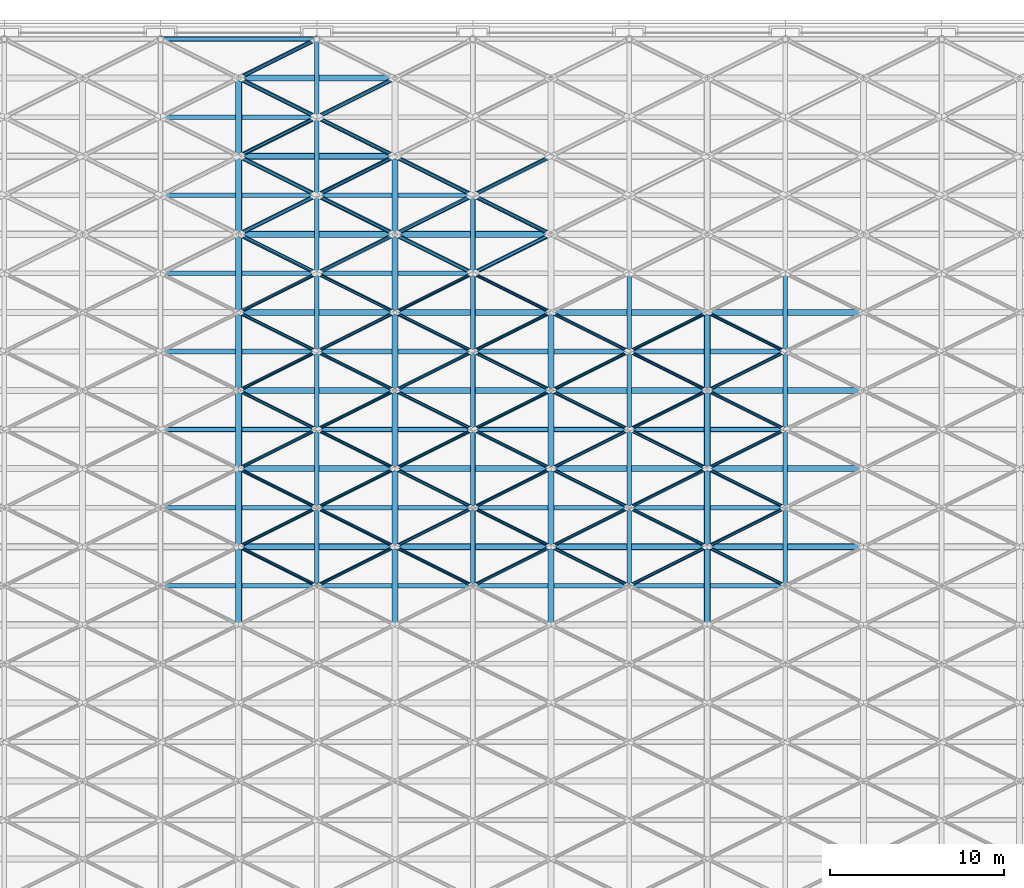
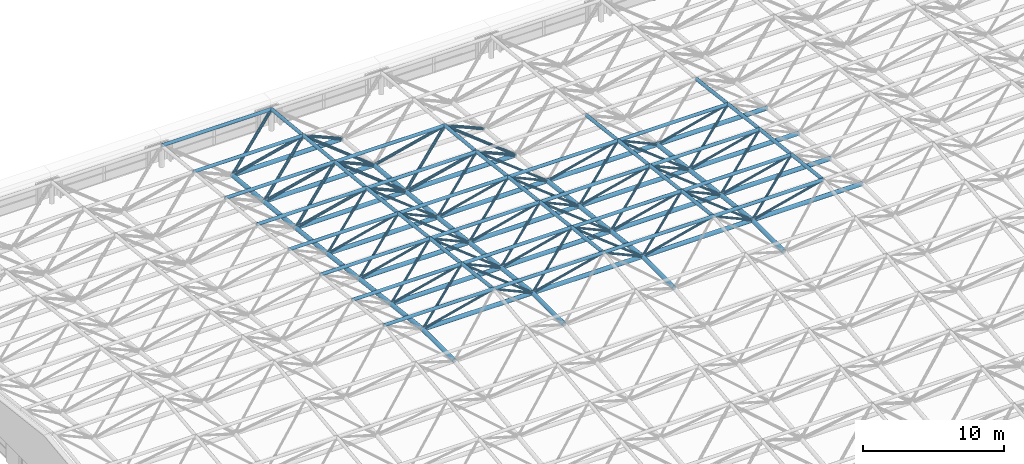
# One storey, part 10 of 53: 153 members.
"""IFC4 building model written with IfcOpenShell, lengths in metres."""

from ifc_helpers import new_model, si_unit, direction, frame, origin, origin_2d, place, context, subcontext, project, spatial, hollow_circle, extrude, material, material_profile, profile_set, type_object, element, save


model = new_model("IFC4")

# Units and contexts
model_context = context("Model", 3, precision=1e-05, world=origin(), true_north=direction((0.0, 1.0)))
body_context = subcontext(model_context, "Body", "Model", "MODEL_VIEW")
ifc_project = project(units=[si_unit("LENGTHUNIT", "METRE"), si_unit("AREAUNIT", "SQUARE_METRE"), si_unit("VOLUMEUNIT", "CUBIC_METRE"), si_unit("PLANEANGLEUNIT", "RADIAN"), si_unit("MASSUNIT", "GRAM", prefix="KILO")], contexts=[model_context])

# Site, building, storey
site_placement = place(None, origin())
site = spatial("IfcSite", under=ifc_project, at=site_placement, CompositionType="ELEMENT")
building_placement = place(site_placement, origin())
building = spatial("IfcBuilding", under=site, at=building_placement, Name="Aravalli Gate Trade Fair Centre", CompositionType="ELEMENT")
storey_placement = place(building_placement, frame((0.0, 0.0, 25.199951171875)))
storey = spatial("IfcBuildingStorey", under=building, at=storey_placement, Name="ROOF LEVEL 2", CompositionType="ELEMENT", Elevation=25.199951171875)

# Members
ifc_material = material(Name="Steel E350", Category="steel")
ifc_material_profile_1 = material_profile(ifc_material, hollow_circle(Radius=0.096923828125, WallThickness=0.00634765625, at=origin_2d()), Name="CHS 193.7x6.3")
ifc_profile_set_1 = profile_set([ifc_material_profile_1], Name="Steel E350")
member_type_1 = type_object("IfcMemberType", Name="CHS 193.7x6.3", PredefinedType="BRACE", material=ifc_profile_set_1)
for number, where, z_axis, x_axis, name in (
    (1, (42.0, 77.5, 5.330078125), (0.74994242606, 0.37497121303, -0.544961417895), (-0.4472135955, 0.894427191, 0.0), "Space frame web diagonal D4A"),
    (2, (51.0, 77.5, 5.330078125), (0.74994242606, 0.37497121303, -0.544961417895), (-0.4472135955, 0.894427191, 0.0), "Space frame web diagonal D4A"),
    (3, (60.0, 77.5, 5.330078125), (0.74994242606, 0.37497121303, -0.544961417895), (-0.4472135955, 0.894427191, 0.0), "Space frame web diagonal D4A"),
    (4, (42.0, 82.0, 4.7900390625), (0.74994242606, 0.37497121303, -0.544961417895), (-0.4472135955, 0.894427191, 0.0), "Space frame web diagonal D4A"),
    (5, (51.0, 82.0, 4.7900390625), (0.74994242606, 0.37497121303, -0.544961417895), (-0.4472135955, 0.894427191, 0.0), "Space frame web diagonal D4A"),
    (6, (60.0, 82.0, 4.7900390625), (0.74994242606, 0.37497121303, -0.544961417895), (-0.4472135955, 0.894427191, 0.0), "Space frame web diagonal D4A"),
    (7, (42.0, 77.5, 5.330078125), (-0.74994242606, 0.37497121303, -0.544961417895), (-0.4472135955, -0.894427191, 0.0), "Space frame web diagonal D4B"),
    (8, (51.0, 77.5, 5.330078125), (-0.74994242606, 0.37497121303, -0.544961417895), (-0.4472135955, -0.894427191, 0.0), "Space frame web diagonal D4B"),
    (9, (60.0, 77.5, 5.330078125), (-0.74994242606, 0.37497121303, -0.544961417895), (-0.4472135955, -0.894427191, 0.0), "Space frame web diagonal D4B"),
    (10, (69.0, 77.5, 5.330078125), (-0.74994242606, 0.37497121303, -0.544961417895), (-0.4472135955, -0.894427191, 0.0), "Space frame web diagonal D4B"),
    (11, (42.0, 82.0, 4.7900390625), (-0.74994242606, 0.37497121303, -0.544961417895), (-0.4472135955, -0.894427191, 0.0), "Space frame web diagonal D4B"),
    (12, (51.0, 82.0, 4.7900390625), (-0.74994242606, 0.37497121303, -0.544961417895), (-0.4472135955, -0.894427191, 0.0), "Space frame web diagonal D4B"),
    (13, (60.0, 82.0, 4.7900390625), (-0.74994242606, 0.37497121303, -0.544961417895), (-0.4472135955, -0.894427191, 0.0), "Space frame web diagonal D4B"),
    (14, (69.0, 82.0, 4.7900390625), (-0.74994242606, 0.37497121303, -0.544961417895), (-0.4472135955, -0.894427191, 0.0), "Space frame web diagonal D4B"),
):
    element("IfcMember", number, at=place(storey_placement, frame(where, z_axis=z_axis, x_axis=x_axis)), inside=storey, type_object=member_type_1, Name=name, PredefinedType="BRACE", context=body_context, shape_type="SweptSolid", body=[
        extrude(hollow_circle(Radius=0.096923828125, WallThickness=0.00634765625, at=origin_2d()), origin(), (0.0, 0.0, 1.0), 6.00048828125),
    ])
for number, where, z_axis, x_axis, name in (
    (15, (42.0, 82.0, 4.7900390625), (0.786150117051, -0.393075058526, -0.476927658901), (0.4472135955, 0.894427191, 0.0), "Space frame web diagonal D4C"),
    (16, (51.0, 82.0, 4.7900390625), (0.786150117051, -0.393075058526, -0.476927658901), (0.4472135955, 0.894427191, 0.0), "Space frame web diagonal D4C"),
    (17, (60.0, 82.0, 4.7900390625), (0.786150117051, -0.393075058526, -0.476927658901), (0.4472135955, 0.894427191, 0.0), "Space frame web diagonal D4C"),
    (18, (42.0, 86.5, 4.25), (0.786150117051, -0.393075058526, -0.476927658901), (0.4472135955, 0.894427191, 0.0), "Space frame web diagonal D4C"),
    (19, (51.0, 86.5, 4.25), (0.786150117051, -0.393075058526, -0.476927658901), (0.4472135955, 0.894427191, 0.0), "Space frame web diagonal D4C"),
    (20, (60.0, 86.5, 4.25), (0.786150117051, -0.393075058526, -0.476927658901), (0.4472135955, 0.894427191, 0.0), "Space frame web diagonal D4C"),
    (21, (42.0, 82.0, 4.7900390625), (-0.786150117051, -0.393075058526, -0.476927658901), (0.4472135955, -0.894427191, 0.0), "Space frame web diagonal D4D"),
    (22, (51.0, 82.0, 4.7900390625), (-0.786150117051, -0.393075058526, -0.476927658901), (0.4472135955, -0.894427191, 0.0), "Space frame web diagonal D4D"),
    (23, (60.0, 82.0, 4.7900390625), (-0.786150117051, -0.393075058526, -0.476927658901), (0.4472135955, -0.894427191, 0.0), "Space frame web diagonal D4D"),
    (24, (69.0, 82.0, 4.7900390625), (-0.786150117051, -0.393075058526, -0.476927658901), (0.4472135955, -0.894427191, 0.0), "Space frame web diagonal D4D"),
    (25, (42.0, 86.5, 4.25), (-0.786150117051, -0.393075058526, -0.476927658901), (0.4472135955, -0.894427191, 0.0), "Space frame web diagonal D4D"),
    (26, (51.0, 86.5, 4.25), (-0.786150117051, -0.393075058526, -0.476927658901), (0.4472135955, -0.894427191, 0.0), "Space frame web diagonal D4D"),
    (27, (60.0, 86.5, 4.25), (-0.786150117051, -0.393075058526, -0.476927658901), (0.4472135955, -0.894427191, 0.0), "Space frame web diagonal D4D"),
    (28, (69.0, 86.5, 4.25), (-0.786150117051, -0.393075058526, -0.476927658901), (0.4472135955, -0.894427191, 0.0), "Space frame web diagonal D4D"),
):
    element("IfcMember", number, at=place(storey_placement, frame(where, z_axis=z_axis, x_axis=x_axis)), inside=storey, type_object=member_type_1, Name=name, PredefinedType="BRACE", context=body_context, shape_type="SweptSolid", body=[
        extrude(hollow_circle(Radius=0.096923828125, WallThickness=0.00634765625, at=origin_2d()), origin(), (0.0, 0.0, 1.0), 5.72412109375),
    ])
for number, where, z_axis, x_axis, name in (
    (29, (42.0, 86.5, 4.25), (0.749609832162, 0.374804916081, -0.545533110277), (-0.4472135955, 0.894427191, 0.0), "Space frame web diagonal D5A"),
    (30, (51.0, 86.5, 4.25), (0.749609832162, 0.374804916081, -0.545533110277), (-0.4472135955, 0.894427191, 0.0), "Space frame web diagonal D5A"),
    (31, (60.0, 86.5, 4.25), (0.749609832162, 0.374804916081, -0.545533110277), (-0.4472135955, 0.894427191, 0.0), "Space frame web diagonal D5A"),
    (32, (42.0, 91.0, 3.699951171875), (0.749609832162, 0.374804916081, -0.545533110277), (-0.4472135955, 0.894427191, 0.0), "Space frame web diagonal D5A"),
    (33, (51.0, 91.0, 3.699951171875), (0.749609832162, 0.374804916081, -0.545533110277), (-0.4472135955, 0.894427191, 0.0), "Space frame web diagonal D5A"),
    (34, (60.0, 91.0, 3.699951171875), (0.749609832162, 0.374804916081, -0.545533110277), (-0.4472135955, 0.894427191, 0.0), "Space frame web diagonal D5A"),
    (35, (42.0, 86.5, 4.25), (-0.749609832162, 0.374804916081, -0.545533110277), (-0.4472135955, -0.894427191, 0.0), "Space frame web diagonal D5B"),
    (36, (51.0, 86.5, 4.25), (-0.749609832162, 0.374804916081, -0.545533110277), (-0.4472135955, -0.894427191, 0.0), "Space frame web diagonal D5B"),
    (37, (60.0, 86.5, 4.25), (-0.749609832162, 0.374804916081, -0.545533110277), (-0.4472135955, -0.894427191, 0.0), "Space frame web diagonal D5B"),
    (38, (69.0, 86.5, 4.25), (-0.749609832162, 0.374804916081, -0.545533110277), (-0.4472135955, -0.894427191, 0.0), "Space frame web diagonal D5B"),
    (39, (42.0, 91.0, 3.699951171875), (-0.749609832162, 0.374804916081, -0.545533110277), (-0.4472135955, -0.894427191, 0.0), "Space frame web diagonal D5B"),
    (40, (51.0, 91.0, 3.699951171875), (-0.749609832162, 0.374804916081, -0.545533110277), (-0.4472135955, -0.894427191, 0.0), "Space frame web diagonal D5B"),
    (41, (60.0, 91.0, 3.699951171875), (-0.749609832162, 0.374804916081, -0.545533110277), (-0.4472135955, -0.894427191, 0.0), "Space frame web diagonal D5B"),
    (42, (69.0, 91.0, 3.699951171875), (-0.749609832162, 0.374804916081, -0.545533110277), (-0.4472135955, -0.894427191, 0.0), "Space frame web diagonal D5B"),
):
    element("IfcMember", number, at=place(storey_placement, frame(where, z_axis=z_axis, x_axis=x_axis)), inside=storey, type_object=member_type_1, Name=name, PredefinedType="BRACE", context=body_context, shape_type="SweptSolid", body=[
        extrude(hollow_circle(Radius=0.096923828125, WallThickness=0.00634765625, at=origin_2d()), origin(), (0.0, 0.0, 1.0), 6.003173828125),
    ])
for number, where, z_axis, x_axis, name in (
    (43, (42.0, 91.0, 3.699951171875), (0.786485839543, -0.393242919772, -0.476235267749), (0.4472135955, 0.894427191, 0.0), "Space frame web diagonal D5C"),
    (44, (51.0, 91.0, 3.699951171875), (0.786485839543, -0.393242919772, -0.476235267749), (0.4472135955, 0.894427191, 0.0), "Space frame web diagonal D5C"),
    (45, (60.0, 91.0, 3.699951171875), (0.786485839543, -0.393242919772, -0.476235267749), (0.4472135955, 0.894427191, 0.0), "Space frame web diagonal D5C"),
    (46, (42.0, 95.5, 3.150146484375), (0.786469857322, -0.393234928661, -0.476268258867), (0.4472135955, 0.894427191, 0.0), "Space frame web diagonal D5C"),
    (47, (51.0, 95.5, 3.150146484375), (0.786469857322, -0.393234928661, -0.476268258867), (0.4472135955, 0.894427191, 0.0), "Space frame web diagonal D5C"),
    (48, (42.0, 91.0, 3.699951171875), (-0.786485839543, -0.393242919772, -0.476235267749), (0.4472135955, -0.894427191, 0.0), "Space frame web diagonal D5D"),
    (49, (51.0, 91.0, 3.699951171875), (-0.786485839543, -0.393242919772, -0.476235267749), (0.4472135955, -0.894427191, 0.0), "Space frame web diagonal D5D"),
    (50, (60.0, 91.0, 3.699951171875), (-0.786485839543, -0.393242919772, -0.476235267749), (0.4472135955, -0.894427191, 0.0), "Space frame web diagonal D5D"),
    (51, (69.0, 91.0, 3.699951171875), (-0.786485839543, -0.393242919772, -0.476235267749), (0.4472135955, -0.894427191, 0.0), "Space frame web diagonal D5D"),
    (52, (42.0, 95.5, 3.150146484375), (-0.786469857322, -0.393234928661, -0.476268258867), (0.4472135955, -0.894427191, 0.0), "Space frame web diagonal D5D"),
    (53, (51.0, 95.5, 3.150146484375), (-0.786469857322, -0.393234928661, -0.476268258867), (0.4472135955, -0.894427191, 0.0), "Space frame web diagonal D5D"),
):
    element("IfcMember", number, at=place(storey_placement, frame(where, z_axis=z_axis, x_axis=x_axis)), inside=storey, type_object=member_type_1, Name=name, PredefinedType="BRACE", context=body_context, shape_type="SweptSolid", body=[
        extrude(hollow_circle(Radius=0.096923828125, WallThickness=0.00634765625, at=origin_2d()), origin(), (0.0, 0.0, 1.0), 5.7216796875),
    ])
ifc_material_profile_2 = material_profile(ifc_material, hollow_circle(Radius=0.122314453125, WallThickness=0.008056640625, at=origin_2d()), Name="CHS 244.5x8")
ifc_profile_set_2 = profile_set([ifc_material_profile_2], Name="Steel E350")
member_type_2 = type_object("IfcMemberType", Name="CHS 244.5x8", PredefinedType="BRACE", material=ifc_profile_set_2)
for number, where, z_axis, x_axis, name in (
    (54, (42.0, 95.5, 3.150146484375), (0.752999619823, 0.376499809912, -0.539666068678), (-0.4472135955, 0.894427191, 0.0), "Space frame web diagonal D6A"),
    (55, (51.0, 95.5, 3.150146484375), (0.752999619823, 0.376499809912, -0.539666068678), (-0.4472135955, 0.894427191, 0.0), "Space frame web diagonal D6A"),
    (56, (42.0, 100.0, 2.699951171875), (0.753016221047, 0.376508110523, -0.539637112837), (-0.4472135955, 0.894427191, 0.0), "Space frame web diagonal D6A"),
    (57, (51.0, 100.0, 2.699951171875), (0.753016221047, 0.376508110523, -0.539637112837), (-0.4472135955, 0.894427191, 0.0), "Space frame web diagonal D6A"),
    (58, (42.0, 104.5, 2.25), (0.753016221047, 0.376508110523, -0.539637112837), (-0.4472135955, 0.894427191, 0.0), "Space frame web diagonal D6A"),
    (59, (42.0, 95.5, 3.150146484375), (-0.752999619823, 0.376499809912, -0.539666068678), (-0.4472135955, -0.894427191, 0.0), "Space frame web diagonal D6B"),
    (60, (51.0, 95.5, 3.150146484375), (-0.752999619823, 0.376499809912, -0.539666068678), (-0.4472135955, -0.894427191, 0.0), "Space frame web diagonal D6B"),
    (61, (42.0, 100.0, 2.699951171875), (-0.753016221047, 0.376508110523, -0.539637112837), (-0.4472135955, -0.894427191, 0.0), "Space frame web diagonal D6B"),
    (62, (51.0, 100.0, 2.699951171875), (-0.753016221047, 0.376508110523, -0.539637112837), (-0.4472135955, -0.894427191, 0.0), "Space frame web diagonal D6B"),
    (63, (42.0, 104.5, 2.25), (-0.753016221047, 0.376508110523, -0.539637112837), (-0.4472135955, -0.894427191, 0.0), "Space frame web diagonal D6B"),
):
    element("IfcMember", number, at=place(storey_placement, frame(where, z_axis=z_axis, x_axis=x_axis)), inside=storey, type_object=member_type_2, Name=name, PredefinedType="BRACE", context=body_context, shape_type="SweptSolid", body=[
        extrude(hollow_circle(Radius=0.122314453125, WallThickness=0.008056640625, at=origin_2d()), origin(), (0.0, 0.0, 1.0), 5.97607421875),
    ])
for number, where, z_axis, x_axis, name in (
    (64, (42.0, 100.0, 2.699951171875), (0.783200147531, -0.391600073766, -0.48295642778), (0.4472135955, 0.894427191, 0.0), "Space frame web diagonal D6C"),
    (65, (51.0, 100.0, 2.699951171875), (0.783200147531, -0.391600073766, -0.48295642778), (0.4472135955, 0.894427191, 0.0), "Space frame web diagonal D6C"),
    (66, (42.0, 104.5, 2.25), (0.783200147531, -0.391600073766, -0.48295642778), (0.4472135955, 0.894427191, 0.0), "Space frame web diagonal D6C"),
    (67, (42.0, 100.0, 2.699951171875), (-0.783200147531, -0.391600073766, -0.48295642778), (0.4472135955, -0.894427191, 0.0), "Space frame web diagonal D6D"),
    (68, (51.0, 100.0, 2.699951171875), (-0.783200147531, -0.391600073766, -0.48295642778), (0.4472135955, -0.894427191, 0.0), "Space frame web diagonal D6D"),
    (69, (42.0, 104.5, 2.25), (-0.783200147531, -0.391600073766, -0.48295642778), (0.4472135955, -0.894427191, 0.0), "Space frame web diagonal D6D"),
    (70, (42.0, 109.0, 1.800048828125), (-0.783200147531, -0.391600073766, -0.48295642778), (0.4472135955, -0.894427191, 0.0), "Space frame web diagonal D6D"),
):
    element("IfcMember", number, at=place(storey_placement, frame(where, z_axis=z_axis, x_axis=x_axis)), inside=storey, type_object=member_type_2, Name=name, PredefinedType="BRACE", context=body_context, shape_type="SweptSolid", body=[
        extrude(hollow_circle(Radius=0.122314453125, WallThickness=0.008056640625, at=origin_2d()), origin(), (0.0, 0.0, 1.0), 5.74560546875),
    ])
ifc_material_profile_3 = material_profile(ifc_material, hollow_circle(Radius=0.136474609375, WallThickness=0.010009765625, at=origin_2d()), Name="CHS 273.1x10")
ifc_profile_set_3 = profile_set([ifc_material_profile_3], Name="Steel E350")
member_type_3 = type_object("IfcMemberType", Name="CHS 273.1x10", PredefinedType="CHORD", material=ifc_profile_set_3)
for number, where, z_axis, x_axis, name in (
    (71, (33.0, 77.5, 5.330078125), (1.0, 0.0, 0.0), (0.0, 1.0, 0.0), "Space frame top chord along the lines T4"),
    (72, (42.0, 77.5, 5.330078125), (1.0, 0.0, 0.0), (0.0, 1.0, 0.0), "Space frame top chord along the lines T4"),
    (73, (51.0, 77.5, 5.330078125), (1.0, 0.0, 0.0), (0.0, 1.0, 0.0), "Space frame top chord along the lines T4"),
    (74, (60.0, 77.5, 5.330078125), (1.0, 0.0, 0.0), (0.0, 1.0, 0.0), "Space frame top chord along the lines T4"),
    (75, (33.0, 82.0, 4.7900390625), (1.0, 0.0, 0.0), (0.0, 1.0, 0.0), "Space frame top chord along the lines T5"),
    (76, (42.0, 82.0, 4.7900390625), (1.0, 0.0, 0.0), (0.0, 1.0, 0.0), "Space frame top chord along the lines T5"),
    (77, (51.0, 82.0, 4.7900390625), (1.0, 0.0, 0.0), (0.0, 1.0, 0.0), "Space frame top chord along the lines T5"),
    (78, (60.0, 82.0, 4.7900390625), (1.0, 0.0, 0.0), (0.0, 1.0, 0.0), "Space frame top chord along the lines T5"),
    (79, (33.0, 86.5, 4.25), (1.0, 0.0, 0.0), (0.0, 1.0, 0.0), "Space frame top chord along the lines T5"),
    (80, (42.0, 86.5, 4.25), (1.0, 0.0, 0.0), (0.0, 1.0, 0.0), "Space frame top chord along the lines T5"),
    (81, (51.0, 86.5, 4.25), (1.0, 0.0, 0.0), (0.0, 1.0, 0.0), "Space frame top chord along the lines T5"),
    (82, (60.0, 86.5, 4.25), (1.0, 0.0, 0.0), (0.0, 1.0, 0.0), "Space frame top chord along the lines T5"),
    (83, (33.0, 91.0, 3.699951171875), (1.0, 0.0, 0.0), (0.0, 1.0, 0.0), "Space frame top chord along the lines T6"),
    (84, (42.0, 91.0, 3.699951171875), (1.0, 0.0, 0.0), (0.0, 1.0, 0.0), "Space frame top chord along the lines T6"),
    (85, (51.0, 91.0, 3.699951171875), (1.0, 0.0, 0.0), (0.0, 1.0, 0.0), "Space frame top chord along the lines T6"),
    (86, (60.0, 91.0, 3.699951171875), (1.0, 0.0, 0.0), (0.0, 1.0, 0.0), "Space frame top chord along the lines T6"),
    (87, (33.0, 95.5, 3.150146484375), (1.0, 0.0, 0.0), (0.0, 1.0, 0.0), "Space frame top chord along the lines T6"),
    (88, (42.0, 95.5, 3.150146484375), (1.0, 0.0, 0.0), (0.0, 1.0, 0.0), "Space frame top chord along the lines T6"),
    (89, (33.0, 100.0, 2.699951171875), (1.0, 0.0, 0.0), (0.0, 1.0, 0.0), "Space frame top chord along the lines T7"),
    (90, (42.0, 100.0, 2.699951171875), (1.0, 0.0, 0.0), (0.0, 1.0, 0.0), "Space frame top chord along the lines T7"),
    (91, (33.0, 104.5, 2.25), (1.0, 0.0, 0.0), (0.0, 1.0, 0.0), "Space frame top chord along the lines T7"),
):
    element("IfcMember", number, at=place(storey_placement, frame(where, z_axis=z_axis, x_axis=x_axis)), inside=storey, type_object=member_type_3, Name=name, PredefinedType="CHORD", context=body_context, shape_type="SweptSolid", body=[
        extrude(hollow_circle(Radius=0.136474609375, WallThickness=0.010009765625, at=origin_2d()), origin(), (0.0, 0.0, 1.0), 9.0),
    ])
for number, where, z_axis, x_axis, name in (
    (92, (42.0, 77.5, 5.330078125), (0.0, 0.992875818887, -0.11915371698), (-1.0, 0.0, 0.0), "Space frame top chord across the vault Y4"),
    (93, (42.0, 82.0, 4.7900390625), (0.0, 0.992875818887, -0.11915371698), (-1.0, 0.0, 0.0), "Space frame top chord across the vault Y4"),
    (94, (51.0, 77.5, 5.330078125), (0.0, 0.992875818887, -0.11915371698), (-1.0, 0.0, 0.0), "Space frame top chord across the vault Y4"),
    (95, (51.0, 82.0, 4.7900390625), (0.0, 0.992875818887, -0.11915371698), (-1.0, 0.0, 0.0), "Space frame top chord across the vault Y4"),
    (96, (60.0, 77.5, 5.330078125), (0.0, 0.992875818887, -0.11915371698), (-1.0, 0.0, 0.0), "Space frame top chord across the vault Y4"),
    (97, (60.0, 82.0, 4.7900390625), (0.0, 0.992875818887, -0.11915371698), (-1.0, 0.0, 0.0), "Space frame top chord across the vault Y4"),
    (98, (69.0, 77.5, 5.330078125), (0.0, 0.992875818887, -0.11915371698), (-1.0, 0.0, 0.0), "Space frame top chord across the vault Y4"),
    (99, (69.0, 82.0, 4.7900390625), (0.0, 0.992875818887, -0.11915371698), (-1.0, 0.0, 0.0), "Space frame top chord across the vault Y4"),
):
    element("IfcMember", number, at=place(storey_placement, frame(where, z_axis=z_axis, x_axis=x_axis)), inside=storey, type_object=member_type_3, Name=name, PredefinedType="CHORD", context=body_context, shape_type="SweptSolid", body=[
        extrude(hollow_circle(Radius=0.136474609375, WallThickness=0.010009765625, at=origin_2d()), origin(), (0.0, 0.0, 1.0), 4.5322265625),
    ])
for number, where, z_axis, x_axis, name in (
    (100, (42.0, 86.5, 4.25), (0.0, 0.992612220818, -0.121330041965), (-1.0, 0.0, 0.0), "Space frame top chord across the vault Y5"),
    (101, (42.0, 91.0, 3.699951171875), (0.0, 0.992618705116, -0.12127698155), (-1.0, 0.0, 0.0), "Space frame top chord across the vault Y5"),
    (102, (51.0, 86.5, 4.25), (0.0, 0.992612220818, -0.121330041965), (-1.0, 0.0, 0.0), "Space frame top chord across the vault Y5"),
    (103, (51.0, 91.0, 3.699951171875), (0.0, 0.992618705116, -0.12127698155), (-1.0, 0.0, 0.0), "Space frame top chord across the vault Y5"),
    (104, (60.0, 86.5, 4.25), (0.0, 0.992612220818, -0.121330041965), (-1.0, 0.0, 0.0), "Space frame top chord across the vault Y5"),
    (105, (60.0, 91.0, 3.699951171875), (0.0, 0.992618705116, -0.12127698155), (-1.0, 0.0, 0.0), "Space frame top chord across the vault Y5"),
    (106, (69.0, 86.5, 4.25), (0.0, 0.992612220818, -0.121330041965), (-1.0, 0.0, 0.0), "Space frame top chord across the vault Y5"),
    (107, (69.0, 91.0, 3.699951171875), (0.0, 0.992618705116, -0.12127698155), (-1.0, 0.0, 0.0), "Space frame top chord across the vault Y5"),
):
    element("IfcMember", number, at=place(storey_placement, frame(where, z_axis=z_axis, x_axis=x_axis)), inside=storey, type_object=member_type_3, Name=name, PredefinedType="CHORD", context=body_context, shape_type="SweptSolid", body=[
        extrude(hollow_circle(Radius=0.136474609375, WallThickness=0.010009765625, at=origin_2d()), origin(), (0.0, 0.0, 1.0), 4.533447265625),
    ])
for number, where, z_axis, x_axis, name in (
    (108, (42.0, 95.5, 3.150146484375), (0.0, 0.995032913332, -0.099546478526), (-1.0, 0.0, 0.0), "Space frame top chord across the vault Y6"),
    (109, (42.0, 100.0, 2.699951171875), (0.0, 0.995038259148, -0.099493029059), (-1.0, 0.0, 0.0), "Space frame top chord across the vault Y6"),
    (110, (42.0, 104.5, 2.25), (0.0, 0.995038259148, -0.099493029059), (-1.0, 0.0, 0.0), "Space frame top chord across the vault Y6"),
    (111, (51.0, 95.5, 3.150146484375), (0.0, 0.995032913332, -0.099546478526), (-1.0, 0.0, 0.0), "Space frame top chord across the vault Y6"),
):
    element("IfcMember", number, at=place(storey_placement, frame(where, z_axis=z_axis, x_axis=x_axis)), inside=storey, type_object=member_type_3, Name=name, PredefinedType="CHORD", context=body_context, shape_type="SweptSolid", body=[
        extrude(hollow_circle(Radius=0.136474609375, WallThickness=0.010009765625, at=origin_2d()), origin(), (0.0, 0.0, 1.0), 4.5224609375),
    ])
ifc_material_profile_4 = material_profile(ifc_material, hollow_circle(Radius=0.136474609375, WallThickness=0.01611328125, at=origin_2d()), Name="CHS 273.1x16")
ifc_profile_set_4 = profile_set([ifc_material_profile_4], Name="Steel E350")
member_type_4 = type_object("IfcMemberType", Name="CHS 273.1x16", PredefinedType="CHORD", material=ifc_profile_set_4)
member_1_placement = place(storey_placement, frame((33.0, 109.0, 1.800048828125), z_axis=(1.0, 0.0, 0.0), x_axis=(0.0, 1.0, 0.0)))
element("IfcMember", 112, at=member_1_placement, inside=storey, type_object=member_type_4, Name="Space frame top chord along the lines TE2", PredefinedType="CHORD", context=body_context, shape_type="SweptSolid", body=[
    extrude(hollow_circle(Radius=0.136474609375, WallThickness=0.01611328125, at=origin_2d()), origin(), (0.0, 0.0, 1.0), 9.0),
])
ifc_material_profile_5 = material_profile(ifc_material, hollow_circle(Radius=0.177734375, WallThickness=0.010009765625, at=origin_2d()), Name="CHS 355.6x10")
ifc_profile_set_5 = profile_set([ifc_material_profile_5], Name="Steel E350")
member_type_5 = type_object("IfcMemberType", Name="CHS 355.6x10", PredefinedType="CHORD", material=ifc_profile_set_5)
for number, where, z_axis, x_axis, name in (
    (113, (37.5, 79.75, 2.06005859375), (1.0, 0.0, 0.0), (0.0, 1.0, 0.0), "Space frame bottom chord along the lines B4"),
    (114, (46.5, 79.75, 2.06005859375), (1.0, 0.0, 0.0), (0.0, 1.0, 0.0), "Space frame bottom chord along the lines B4"),
    (115, (55.5, 79.75, 2.06005859375), (1.0, 0.0, 0.0), (0.0, 1.0, 0.0), "Space frame bottom chord along the lines B4"),
    (116, (64.5, 79.75, 2.06005859375), (1.0, 0.0, 0.0), (0.0, 1.0, 0.0), "Space frame bottom chord along the lines B4"),
    (117, (37.5, 84.25, 1.52001953125), (1.0, 0.0, 0.0), (0.0, 1.0, 0.0), "Space frame bottom chord along the lines B4"),
    (118, (46.5, 84.25, 1.52001953125), (1.0, 0.0, 0.0), (0.0, 1.0, 0.0), "Space frame bottom chord along the lines B4"),
    (119, (55.5, 84.25, 1.52001953125), (1.0, 0.0, 0.0), (0.0, 1.0, 0.0), "Space frame bottom chord along the lines B4"),
    (120, (64.5, 84.25, 1.52001953125), (1.0, 0.0, 0.0), (0.0, 1.0, 0.0), "Space frame bottom chord along the lines B4"),
    (121, (37.5, 88.75, 0.97509765625), (1.0, 0.0, 0.0), (0.0, 1.0, 0.0), "Space frame bottom chord along the lines B5"),
    (122, (46.5, 88.75, 0.97509765625), (1.0, 0.0, 0.0), (0.0, 1.0, 0.0), "Space frame bottom chord along the lines B5"),
    (123, (55.5, 88.75, 0.97509765625), (1.0, 0.0, 0.0), (0.0, 1.0, 0.0), "Space frame bottom chord along the lines B5"),
    (124, (64.5, 88.75, 0.97509765625), (1.0, 0.0, 0.0), (0.0, 1.0, 0.0), "Space frame bottom chord along the lines B5"),
    (125, (37.5, 93.25, 0.425048828125), (1.0, 0.0, 0.0), (0.0, 1.0, 0.0), "Space frame bottom chord along the lines B5"),
    (126, (46.5, 93.25, 0.425048828125), (1.0, 0.0, 0.0), (0.0, 1.0, 0.0), "Space frame bottom chord along the lines B5"),
    (127, (55.5, 93.25, 0.425048828125), (1.0, 0.0, 0.0), (0.0, 1.0, 0.0), "Space frame bottom chord along the lines B5"),
    (128, (64.5, 93.25, 0.425048828125), (1.0, 0.0, 0.0), (0.0, 1.0, 0.0), "Space frame bottom chord along the lines B5"),
    (129, (37.5, 97.75, -0.074951171875), (1.0, 0.0, 0.0), (0.0, 1.0, 0.0), "Space frame bottom chord along the lines B6"),
    (130, (46.5, 97.75, -0.074951171875), (1.0, 0.0, 0.0), (0.0, 1.0, 0.0), "Space frame bottom chord along the lines B6"),
    (131, (37.5, 102.25, -0.52490234375), (1.0, 0.0, 0.0), (0.0, 1.0, 0.0), "Space frame bottom chord along the lines B6"),
):
    element("IfcMember", number, at=place(storey_placement, frame(where, z_axis=z_axis, x_axis=x_axis)), inside=storey, type_object=member_type_5, Name=name, PredefinedType="CHORD", context=body_context, shape_type="SweptSolid", body=[
        extrude(hollow_circle(Radius=0.177734375, WallThickness=0.010009765625, at=origin_2d()), origin(), (0.0, 0.0, 1.0), 9.0),
    ])
for number, where, z_axis, x_axis, name in (
    (132, (37.5, 75.25, 2.06005859375), (0.0, 1.0, 0.0), (-1.0, 0.0, 0.0), "Space frame bottom chord across the vault C6"),
    (133, (46.5, 75.25, 2.06005859375), (0.0, 1.0, 0.0), (-1.0, 0.0, 0.0), "Space frame bottom chord across the vault C6"),
    (134, (55.5, 75.25, 2.06005859375), (0.0, 1.0, 0.0), (-1.0, 0.0, 0.0), "Space frame bottom chord across the vault C6"),
    (135, (64.5, 75.25, 2.06005859375), (0.0, 1.0, 0.0), (-1.0, 0.0, 0.0), "Space frame bottom chord across the vault C6"),
):
    element("IfcMember", number, at=place(storey_placement, frame(where, z_axis=z_axis, x_axis=x_axis)), inside=storey, type_object=member_type_5, Name=name, PredefinedType="CHORD", context=body_context, shape_type="SweptSolid", body=[
        extrude(hollow_circle(Radius=0.177734375, WallThickness=0.010009765625, at=origin_2d()), origin(), (0.0, 0.0, 1.0), 4.5),
    ])
for number, where, z_axis, x_axis, name in (
    (136, (37.5, 79.75, 2.06005859375), (0.0, 0.992875818887, -0.11915371698), (-1.0, 0.0, 0.0), "Space frame bottom chord across the vault C7"),
    (137, (46.5, 79.75, 2.06005859375), (0.0, 0.992875818887, -0.11915371698), (-1.0, 0.0, 0.0), "Space frame bottom chord across the vault C7"),
    (138, (55.5, 79.75, 2.06005859375), (0.0, 0.992875818887, -0.11915371698), (-1.0, 0.0, 0.0), "Space frame bottom chord across the vault C7"),
    (139, (64.5, 79.75, 2.06005859375), (0.0, 0.992875818887, -0.11915371698), (-1.0, 0.0, 0.0), "Space frame bottom chord across the vault C7"),
):
    element("IfcMember", number, at=place(storey_placement, frame(where, z_axis=z_axis, x_axis=x_axis)), inside=storey, type_object=member_type_5, Name=name, PredefinedType="CHORD", context=body_context, shape_type="SweptSolid", body=[
        extrude(hollow_circle(Radius=0.177734375, WallThickness=0.010009765625, at=origin_2d()), origin(), (0.0, 0.0, 1.0), 4.5322265625),
    ])
for number, where, z_axis, x_axis, name in (
    (140, (37.5, 84.25, 1.52001953125), (0.0, 0.992747813002, -0.120215555481), (-1.0, 0.0, 0.0), "Space frame bottom chord across the vault C8"),
    (141, (46.5, 84.25, 1.52001953125), (0.0, 0.992747813002, -0.120215555481), (-1.0, 0.0, 0.0), "Space frame bottom chord across the vault C8"),
    (142, (55.5, 84.25, 1.52001953125), (0.0, 0.992747813002, -0.120215555481), (-1.0, 0.0, 0.0), "Space frame bottom chord across the vault C8"),
    (143, (64.5, 84.25, 1.52001953125), (0.0, 0.992747813002, -0.120215555481), (-1.0, 0.0, 0.0), "Space frame bottom chord across the vault C8"),
):
    element("IfcMember", number, at=place(storey_placement, frame(where, z_axis=z_axis, x_axis=x_axis)), inside=storey, type_object=member_type_5, Name=name, PredefinedType="CHORD", context=body_context, shape_type="SweptSolid", body=[
        extrude(hollow_circle(Radius=0.177734375, WallThickness=0.010009765625, at=origin_2d()), origin(), (0.0, 0.0, 1.0), 4.532958984375),
    ])
for number, where, z_axis, x_axis, name in (
    (144, (37.5, 88.75, 0.97509765625), (0.0, 0.992612220818, -0.121330041965), (-1.0, 0.0, 0.0), "Space frame bottom chord across the vault C9"),
    (145, (46.5, 88.75, 0.97509765625), (0.0, 0.992612220818, -0.121330041965), (-1.0, 0.0, 0.0), "Space frame bottom chord across the vault C9"),
    (146, (55.5, 88.75, 0.97509765625), (0.0, 0.992612220818, -0.121330041965), (-1.0, 0.0, 0.0), "Space frame bottom chord across the vault C9"),
    (147, (64.5, 88.75, 0.97509765625), (0.0, 0.992612220818, -0.121330041965), (-1.0, 0.0, 0.0), "Space frame bottom chord across the vault C9"),
):
    element("IfcMember", number, at=place(storey_placement, frame(where, z_axis=z_axis, x_axis=x_axis)), inside=storey, type_object=member_type_5, Name=name, PredefinedType="CHORD", context=body_context, shape_type="SweptSolid", body=[
        extrude(hollow_circle(Radius=0.177734375, WallThickness=0.010009765625, at=origin_2d()), origin(), (0.0, 0.0, 1.0), 4.533447265625),
    ])
for number, where, z_axis, x_axis, name in (
    (148, (37.5, 93.25, 0.425048828125), (0.0, 0.993883734674, -0.110431526075), (-1.0, 0.0, 0.0), "Space frame bottom chord across the vault C10"),
    (149, (46.5, 93.25, 0.425048828125), (0.0, 0.993883734674, -0.110431526075), (-1.0, 0.0, 0.0), "Space frame bottom chord across the vault C10"),
):
    element("IfcMember", number, at=place(storey_placement, frame(where, z_axis=z_axis, x_axis=x_axis)), inside=storey, type_object=member_type_5, Name=name, PredefinedType="CHORD", context=body_context, shape_type="SweptSolid", body=[
        extrude(hollow_circle(Radius=0.177734375, WallThickness=0.010009765625, at=origin_2d()), origin(), (0.0, 0.0, 1.0), 4.527587890625),
    ])
for number, where, z_axis, x_axis, name in (
    (150, (37.5, 97.75, -0.074951171875), (0.0, 0.995038259148, -0.099493029059), (-1.0, 0.0, 0.0), "Space frame bottom chord across the vault C11"),
    (151, (37.5, 102.25, -0.52490234375), (0.0, 0.995038259148, -0.099493029059), (-1.0, 0.0, 0.0), "Space frame bottom chord across the vault C11"),
    (152, (46.5, 97.75, -0.074951171875), (0.0, 0.995038259148, -0.099493029059), (-1.0, 0.0, 0.0), "Space frame bottom chord across the vault C11"),
):
    element("IfcMember", number, at=place(storey_placement, frame(where, z_axis=z_axis, x_axis=x_axis)), inside=storey, type_object=member_type_5, Name=name, PredefinedType="CHORD", context=body_context, shape_type="SweptSolid", body=[
        extrude(hollow_circle(Radius=0.177734375, WallThickness=0.010009765625, at=origin_2d()), origin(), (0.0, 0.0, 1.0), 4.5224609375),
    ])
ifc_material_profile_6 = material_profile(ifc_material, hollow_circle(Radius=0.177734375, WallThickness=0.01611328125, at=origin_2d()), Name="CHS 355.6x16")
ifc_profile_set_6 = profile_set([ifc_material_profile_6], Name="Steel E350")
member_type_6 = type_object("IfcMemberType", Name="CHS 355.6x16", PredefinedType="CHORD", material=ifc_profile_set_6)
member_2_placement = place(storey_placement, frame((37.5, 106.75, -0.974853515625), z_axis=(1.0, 0.0, 0.0), x_axis=(0.0, 1.0, 0.0)))
element("IfcMember", 153, at=member_2_placement, inside=storey, type_object=member_type_6, Name="Space frame bottom chord along the lines BE2", PredefinedType="CHORD", context=body_context, shape_type="SweptSolid", body=[
    extrude(hollow_circle(Radius=0.177734375, WallThickness=0.01611328125, at=origin_2d()), origin(), (0.0, 0.0, 1.0), 9.0),
])

save(model, "model.ifc")
